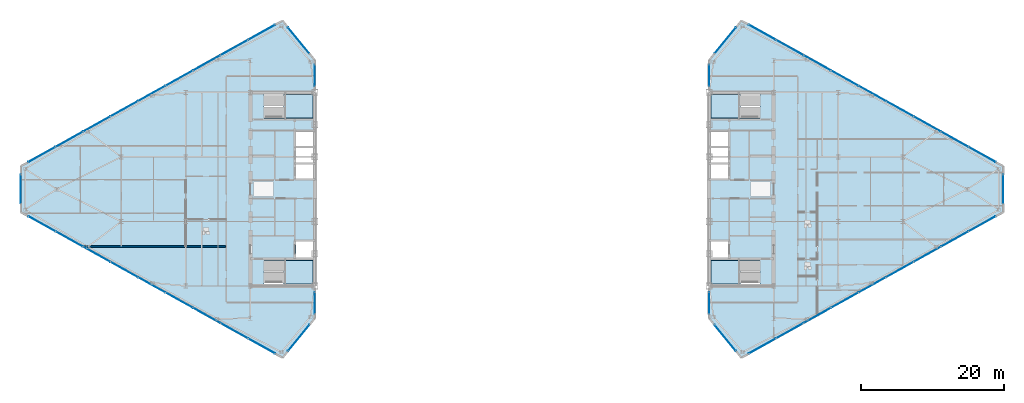
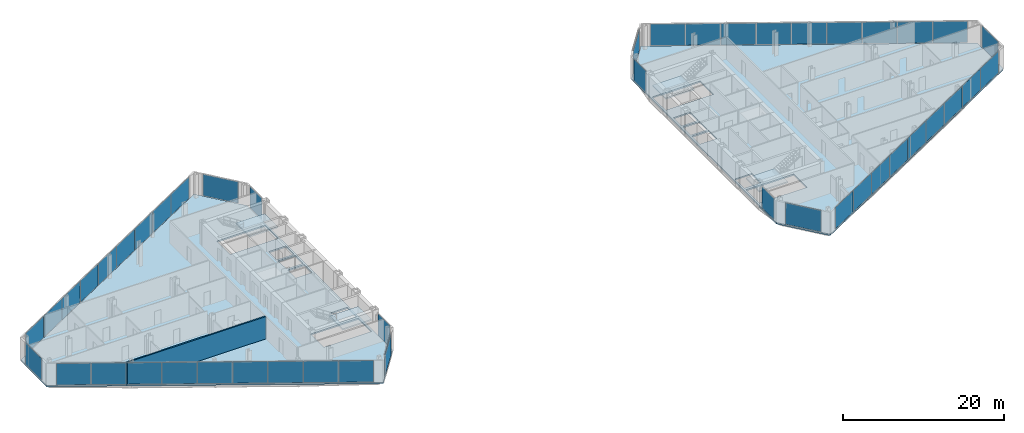
# One storey, part 18 of 26: 46 plates, 6 slabs, 1 wall, 18 elements without a shape of their own.
"""IFC4 building model written with IfcOpenShell, lengths in metres."""

from ifc_helpers import new_model, si_unit, direction, frame, frame_2d, origin, origin_2d, place, context, subcontext, project, spatial, polyline, rectangle, outline, extrude, source, transform, mapped, material, layer, layer_set, type_object, type_shapes, element, aggregate, save


model = new_model("IFC4")

# Units and contexts
model_context = context("Model", 3, precision=1e-05, world=origin(), true_north=direction((0.0, 1.0)))
body_context = subcontext(model_context, "Body", "Model", "MODEL_VIEW")
ifc_project = project(units=[si_unit("LENGTHUNIT", "METRE"), si_unit("AREAUNIT", "SQUARE_METRE"), si_unit("VOLUMEUNIT", "CUBIC_METRE"), si_unit("PLANEANGLEUNIT", "RADIAN"), si_unit("MASSUNIT", "GRAM", prefix="KILO")], contexts=[model_context])

# Site, building, storey
site_placement = place(None, origin())
site = spatial("IfcSite", under=ifc_project, at=site_placement, CompositionType="ELEMENT")
building_placement = place(site_placement, origin())
building = spatial("IfcBuilding", under=site, at=building_placement, Name="Seokmaru Belvedere", CompositionType="ELEMENT")
storey_placement = place(building_placement, frame((0.0, 0.0, 167.10009765625)))
storey = spatial("IfcBuildingStorey", under=building, at=storey_placement, Name="L44", CompositionType="ELEMENT", Elevation=167.10009765625)

# Stair, slab
ifc_material_1 = material(Name="Concrete C40 (40 MPa)", Category="concrete")
stair_type = type_object("IfcStairType", Name="Typical Tower Core Dog-Leg Stair 3600", PredefinedType="TWO_STRAIGHT_RUN_STAIR", material=ifc_material_1)
stair_1_placement = place(storey_placement, origin())
stair_1 = element("IfcStair", 1, at=stair_1_placement, inside=storey, type_object=stair_type, Name="L44 Special Escape Stair ST-W1", PredefinedType="TWO_STRAIGHT_RUN_STAIR")
ifc_layer_1 = layer(ifc_material_1, 0.199951171875)
ifc_layer_set_1 = layer_set([ifc_layer_1], Name="Concrete C40 (40 MPa)")
slab_type_1 = type_object("IfcSlabType", Name="Reinforced Concrete Stair Landing Slab 200", PredefinedType="LANDING", material=ifc_layer_set_1)
slab_1_placement = place(storey_placement, frame((0.0, 0.0, 1.599853515625)))
slab_1 = element("IfcSlab", 2, at=slab_1_placement, type_object=slab_type_1, Name="ST-W1 landing 1", PredefinedType="LANDING", context=body_context, shape_type="SweptSolid", body=[
    extrude(outline(polyline([(-31.8798828125, -13.239990234375), (-27.760009765625, -13.239990234375), (-27.760009765625, -9.949951171875), (-31.8798828125, -9.949951171875), (-31.8798828125, -13.239990234375)])), origin(), (0.0, 0.0, 1.0), 0.199951171875),
])
aggregate(stair_1, [slab_1])

stair_2_placement = place(storey_placement, origin())
stair_2 = element("IfcStair", 3, at=stair_2_placement, inside=storey, type_object=stair_type, Name="L44 Special Escape Stair ST-W2", PredefinedType="TWO_STRAIGHT_RUN_STAIR")
slab_2_placement = place(storey_placement, frame((0.0, 0.0, 1.599853515625)))
slab_2 = element("IfcSlab", 4, at=slab_2_placement, type_object=slab_type_1, Name="ST-W2 landing 1", PredefinedType="LANDING", context=body_context, shape_type="SweptSolid", body=[
    extrude(outline(polyline([(-31.8798828125, 9.949951171875), (-27.760009765625, 9.949951171875), (-27.760009765625, 13.239990234375), (-31.8798828125, 13.239990234375), (-31.8798828125, 9.949951171875)])), origin(), (0.0, 0.0, 1.0), 0.199951171875),
])
aggregate(stair_2, [slab_2])

stair_3_placement = place(storey_placement, origin())
stair_3 = element("IfcStair", 5, at=stair_3_placement, inside=storey, type_object=stair_type, Name="L44 Special Escape Stair ST-E1", PredefinedType="TWO_STRAIGHT_RUN_STAIR")
slab_3_placement = place(storey_placement, frame((0.0, 0.0, 1.599853515625)))
slab_3 = element("IfcSlab", 6, at=slab_3_placement, type_object=slab_type_1, Name="ST-E1 landing 1", PredefinedType="LANDING", context=body_context, shape_type="SweptSolid", body=[
    extrude(outline(polyline([(27.760009765625, -13.239990234375), (31.8798828125, -13.239990234375), (31.8798828125, -9.949951171875), (27.760009765625, -9.949951171875), (27.760009765625, -13.239990234375)])), origin(), (0.0, 0.0, 1.0), 0.199951171875),
])
aggregate(stair_3, [slab_3])

stair_4_placement = place(storey_placement, origin())
stair_4 = element("IfcStair", 7, at=stair_4_placement, inside=storey, type_object=stair_type, Name="L44 Special Escape Stair ST-E2", PredefinedType="TWO_STRAIGHT_RUN_STAIR")
slab_4_placement = place(storey_placement, frame((0.0, 0.0, 1.599853515625)))
slab_4 = element("IfcSlab", 8, at=slab_4_placement, type_object=slab_type_1, Name="ST-E2 landing 1", PredefinedType="LANDING", context=body_context, shape_type="SweptSolid", body=[
    extrude(outline(polyline([(27.760009765625, 9.949951171875), (31.8798828125, 9.949951171875), (31.8798828125, 13.239990234375), (27.760009765625, 13.239990234375), (27.760009765625, 9.949951171875)])), origin(), (0.0, 0.0, 1.0), 0.199951171875),
])
aggregate(stair_4, [slab_4])

# Slabs
ifc_layer_2 = layer(ifc_material_1, 0.219970703125)
ifc_layer_set_2 = layer_set([ifc_layer_2], Name="Concrete C40 (40 MPa)")
slab_type_2 = type_object("IfcSlabType", Name="Typical Tower Composite Floor Slab 220", PredefinedType="FLOOR", material=ifc_layer_set_2)
slab_5_placement = place(storey_placement, frame((0.0, 0.0, -0.22021484375)))
element("IfcSlab", 9, at=slab_5_placement, inside=storey, type_object=slab_type_2, Name="L44 West Leg Floor Slab", PredefinedType="FLOOR", context=body_context, shape_type="SweptSolid", body=[
    extrude(outline(polyline([(-27.5, -18.0), (-27.5, 18.0), (-32.0, 23.5), (-68.5, 3.199951171875), (-68.5, -3.199951171875), (-32.0, -23.5), (-27.5, -18.0)]), holes=[polyline([(-34.60009765625, -13.25), (-27.75, -13.25), (-27.75, -9.949951171875), (-34.60009765625, -9.949951171875), (-34.60009765625, -13.25)]), polyline([(-34.60009765625, 9.949951171875), (-27.75, 9.949951171875), (-27.75, 13.25), (-34.60009765625, 13.25), (-34.60009765625, 9.949951171875)]), polyline([(-30.14990234375, -9.550048828125), (-27.75, -9.550048828125), (-27.75, -7.25), (-30.14990234375, -7.25), (-30.14990234375, -9.550048828125)]), polyline([(-30.14990234375, 1.449951171875), (-27.75, 1.449951171875), (-27.75, 3.449951171875), (-30.14990234375, 3.449951171875), (-30.14990234375, 1.449951171875)]), polyline([(-30.14990234375, 3.75), (-27.75, 3.75), (-27.75, 5.75), (-30.14990234375, 5.75), (-30.14990234375, 3.75)]), polyline([(-30.14990234375, 6.050048828125), (-27.75, 6.050048828125), (-27.75, 8.050048828125), (-30.14990234375, 8.050048828125), (-30.14990234375, 6.050048828125)])]), origin(), (0.0, 0.0, 1.0), 0.22021484375),
])
slab_6_placement = place(storey_placement, frame((0.0, 0.0, -0.22021484375)))
element("IfcSlab", 10, at=slab_6_placement, inside=storey, type_object=slab_type_2, Name="L44 East Leg Floor Slab", PredefinedType="FLOOR", context=body_context, shape_type="SweptSolid", body=[
    extrude(outline(polyline([(32.0, -23.5), (68.5, -3.199951171875), (68.5, 3.199951171875), (32.0, 23.5), (27.5, 18.0), (27.5, -18.0), (32.0, -23.5)]), holes=[polyline([(27.75, -13.25), (34.60009765625, -13.25), (34.60009765625, -9.949951171875), (27.75, -9.949951171875), (27.75, -13.25)]), polyline([(27.75, 9.949951171875), (34.60009765625, 9.949951171875), (34.60009765625, 13.25), (27.75, 13.25), (27.75, 9.949951171875)]), polyline([(27.75, -9.550048828125), (30.14990234375, -9.550048828125), (30.14990234375, -7.25), (27.75, -7.25), (27.75, -9.550048828125)]), polyline([(27.75, 1.449951171875), (30.14990234375, 1.449951171875), (30.14990234375, 3.449951171875), (27.75, 3.449951171875), (27.75, 1.449951171875)]), polyline([(27.75, 3.75), (30.14990234375, 3.75), (30.14990234375, 5.75), (27.75, 5.75), (27.75, 3.75)]), polyline([(27.75, 6.050048828125), (30.14990234375, 6.050048828125), (30.14990234375, 8.050048828125), (27.75, 8.050048828125), (27.75, 6.050048828125)])]), origin(), (0.0, 0.0, 1.0), 0.22021484375),
])

# Curtain wall, plate
ifc_material_2 = material(Name="Bronze Triple Insulating Glass", Category="glass")
ifc_layer_3 = layer(ifc_material_2, 0.179931640625)
ifc_layer_set_3 = layer_set([ifc_layer_3], Name="Bronze Triple Insulating Glass")
curtain_wall_type = type_object("IfcCurtainWallType", Name="High-Rise Wind-Corner Curtain Wall System CW-5", PredefinedType="NOTDEFINED", material=ifc_layer_set_3)
curtain_wall_1_placement = place(storey_placement, origin())
curtain_wall_1 = element("IfcCurtainWall", 11, at=curtain_wall_1_placement, inside=storey, type_object=curtain_wall_type, Name="L44 Curtain Wall WSP_1", PredefinedType="NOTDEFINED")
ifc_layer_4 = layer(ifc_material_2, 0.035888671875)
ifc_layer_set_4 = layer_set([ifc_layer_4], Name="Bronze Triple Insulating Glass")
plate_type = type_object("IfcPlateType", Name="Bronze Triple Vision Glazing Panel 36", PredefinedType="CURTAIN_PANEL", material=ifc_layer_set_4)
shared_shape_1 = source(origin(), body_context, "Body", "SweptSolid", [
    extrude(rectangle(XDim=2.969970703125, YDim=0.035888671875, at=origin_2d()), origin(), (0.0, 0.0, 1.0), 3.25),
])
plate_1_placement = place(storey_placement, frame((-27.5, -15.8798828125, 0.06494140625), z_axis=(0.0, 0.0, 1.0), x_axis=(0.0, 1.0, 0.0)))
plate_1 = element("IfcPlate", 12, at=plate_1_placement, type_object=plate_type, Name="CW:L44:WSP_1 Glazing Panel 1-1", PredefinedType="CURTAIN_PANEL", context=body_context, shape_type="MappedRepresentation", body=[
    mapped(shared_shape_1, transform((0.0, 0.0, 0.0), scale=1.0)),
])
aggregate(curtain_wall_1, [plate_1])

curtain_wall_2_placement = place(storey_placement, origin())
curtain_wall_2 = element("IfcCurtainWall", 13, at=curtain_wall_2_placement, inside=storey, type_object=curtain_wall_type, Name="L44 Curtain Wall WSP_2", PredefinedType="NOTDEFINED")
plate_2_placement = place(storey_placement, frame((-27.5, 15.8798828125, 0.06494140625), z_axis=(0.0, 0.0, 1.0), x_axis=(0.0, 1.0, 0.0)))
plate_2 = element("IfcPlate", 14, at=plate_2_placement, type_object=plate_type, Name="CW:L44:WSP_2 Glazing Panel 1-1", PredefinedType="CURTAIN_PANEL", context=body_context, shape_type="MappedRepresentation", body=[
    mapped(shared_shape_1, transform((0.0, 0.0, 0.0), scale=1.0)),
])
aggregate(curtain_wall_2, [plate_2])

curtain_wall_3_placement = place(storey_placement, origin())
curtain_wall_3 = element("IfcCurtainWall", 15, at=curtain_wall_3_placement, inside=storey, type_object=curtain_wall_type, Name="L44 Curtain Wall ESP_1", PredefinedType="NOTDEFINED")
plate_3_placement = place(storey_placement, frame((27.5, -15.8798828125, 0.06494140625), z_axis=(0.0, 0.0, 1.0), x_axis=(0.0, -1.0, 0.0)))
plate_3 = element("IfcPlate", 16, at=plate_3_placement, type_object=plate_type, Name="CW:L44:ESP_1 Glazing Panel 1-1", PredefinedType="CURTAIN_PANEL", context=body_context, shape_type="MappedRepresentation", body=[
    mapped(shared_shape_1, transform((0.0, 0.0, 0.0), scale=1.0)),
])
aggregate(curtain_wall_3, [plate_3])

curtain_wall_4_placement = place(storey_placement, origin())
curtain_wall_4 = element("IfcCurtainWall", 17, at=curtain_wall_4_placement, inside=storey, type_object=curtain_wall_type, Name="L44 Curtain Wall ESP_2", PredefinedType="NOTDEFINED")
plate_4_placement = place(storey_placement, frame((27.5, 15.8798828125, 0.06494140625), z_axis=(0.0, 0.0, 1.0), x_axis=(0.0, -1.0, 0.0)))
plate_4 = element("IfcPlate", 18, at=plate_4_placement, type_object=plate_type, Name="CW:L44:ESP_2 Glazing Panel 1-1", PredefinedType="CURTAIN_PANEL", context=body_context, shape_type="MappedRepresentation", body=[
    mapped(shared_shape_1, transform((0.0, 0.0, 0.0), scale=1.0)),
])
aggregate(curtain_wall_4, [plate_4])

curtain_wall_5_placement = place(storey_placement, origin())
curtain_wall_5 = element("IfcCurtainWall", 19, at=curtain_wall_5_placement, inside=storey, type_object=curtain_wall_type, Name="L44 Curtain Wall WF2", PredefinedType="NOTDEFINED")
shared_shape_2 = source(origin(), body_context, "Body", "SweptSolid", [
    extrude(rectangle(XDim=4.67626953125, YDim=0.035888671875, at=origin_2d()), origin(), (0.0, 0.0, 1.0), 3.25),
])
plate_5_placement = place(storey_placement, frame((-29.75, 20.75, 0.06494140625), z_axis=(0.0, 0.0, 1.0), x_axis=(-0.633253907144, 0.773944112379, 0.0)))
plate_5 = element("IfcPlate", 20, at=plate_5_placement, type_object=plate_type, Name="CW:L44:WF2 Glazing Panel 1-1", PredefinedType="CURTAIN_PANEL", context=body_context, shape_type="MappedRepresentation", body=[
    mapped(shared_shape_2, transform((0.0, 0.0, 0.0), scale=1.0)),
])
aggregate(curtain_wall_5, [plate_5])

curtain_wall_6_placement = place(storey_placement, origin())
curtain_wall_6 = element("IfcCurtainWall", 21, at=curtain_wall_6_placement, inside=storey, type_object=curtain_wall_type, Name="L44 Curtain Wall WF6", PredefinedType="NOTDEFINED")
plate_6_placement = place(storey_placement, frame((-29.75, -20.75, 0.06494140625), z_axis=(0.0, 0.0, 1.0), x_axis=(0.633253907144, 0.773944112379, 0.0)))
plate_6 = element("IfcPlate", 22, at=plate_6_placement, type_object=plate_type, Name="CW:L44:WF6 Glazing Panel 1-1", PredefinedType="CURTAIN_PANEL", context=body_context, shape_type="MappedRepresentation", body=[
    mapped(shared_shape_2, transform((0.0, 0.0, 0.0), scale=1.0)),
])
aggregate(curtain_wall_6, [plate_6])

curtain_wall_7_placement = place(storey_placement, origin())
curtain_wall_7 = element("IfcCurtainWall", 23, at=curtain_wall_7_placement, inside=storey, type_object=curtain_wall_type, Name="L44 Curtain Wall EF4", PredefinedType="NOTDEFINED")
plate_7_placement = place(storey_placement, frame((29.75, 20.75, 0.06494140625), z_axis=(0.0, 0.0, 1.0), x_axis=(-0.633253907144, -0.773944112379, 0.0)))
plate_7 = element("IfcPlate", 24, at=plate_7_placement, type_object=plate_type, Name="CW:L44:EF4 Glazing Panel 1-1", PredefinedType="CURTAIN_PANEL", context=body_context, shape_type="MappedRepresentation", body=[
    mapped(shared_shape_2, transform((0.0, 0.0, 0.0), scale=1.0)),
])
aggregate(curtain_wall_7, [plate_7])

curtain_wall_8_placement = place(storey_placement, origin())
curtain_wall_8 = element("IfcCurtainWall", 25, at=curtain_wall_8_placement, inside=storey, type_object=curtain_wall_type, Name="L44 Curtain Wall EF6", PredefinedType="NOTDEFINED")
plate_8_placement = place(storey_placement, frame((29.75, -20.75, 0.06494140625), z_axis=(0.0, 0.0, 1.0), x_axis=(0.633253907144, -0.773944112379, 0.0)))
plate_8 = element("IfcPlate", 26, at=plate_8_placement, type_object=plate_type, Name="CW:L44:EF6 Glazing Panel 1-1", PredefinedType="CURTAIN_PANEL", context=body_context, shape_type="MappedRepresentation", body=[
    mapped(shared_shape_2, transform((0.0, 0.0, 0.0), scale=1.0)),
])
aggregate(curtain_wall_8, [plate_8])

# Curtain wall, plates
curtain_wall_9_placement = place(storey_placement, origin())
curtain_wall_9 = element("IfcCurtainWall", 27, at=curtain_wall_9_placement, inside=storey, type_object=curtain_wall_type, Name="L44 Curtain Wall WF3", PredefinedType="NOTDEFINED")
shared_shape_3 = source(origin(), body_context, "Body", "SweptSolid", [
    extrude(rectangle(XDim=4.28759765625, YDim=0.035888671875, at=origin_2d()), origin(), (0.0, 0.0, 1.0), 3.25),
])
plate_9_placement = place(storey_placement, frame((-34.935302734375, 21.867431640625, 0.06494140625), z_axis=(0.0, 0.0, 1.0), x_axis=(-0.873932601598, -0.486047125147, 0.0)))
plate_9 = element("IfcPlate", 28, at=plate_9_placement, type_object=plate_type, Name="CW:L44:WF3 Glazing Panel 1-1", PredefinedType="CURTAIN_PANEL", context=body_context, shape_type="MappedRepresentation", body=[
    mapped(shared_shape_3, transform((0.0, 0.0, 0.0), scale=1.0)),
])
plate_10_placement = place(storey_placement, frame((-65.564697265625, 4.83251953125, 0.06494140625), z_axis=(0.0, 0.0, 1.0), x_axis=(-0.873932601598, -0.486047125147, 0.0)))
plate_10 = element("IfcPlate", 29, at=plate_10_placement, type_object=plate_type, Name="CW:L44:WF3 Glazing Panel 9-1", PredefinedType="CURTAIN_PANEL", context=body_context, shape_type="MappedRepresentation", body=[
    mapped(shared_shape_3, transform((0.0, 0.0, 0.0), scale=1.0)),
])

curtain_wall_10_placement = place(storey_placement, origin())
curtain_wall_10 = element("IfcCurtainWall", 30, at=curtain_wall_10_placement, inside=storey, type_object=curtain_wall_type, Name="L44 Curtain Wall WF5", PredefinedType="NOTDEFINED")
plate_11_placement = place(storey_placement, frame((-65.564697265625, -4.83251953125, 0.06494140625), z_axis=(0.0, 0.0, 1.0), x_axis=(0.873932601598, -0.486047125147, 0.0)))
plate_11 = element("IfcPlate", 31, at=plate_11_placement, type_object=plate_type, Name="CW:L44:WF5 Glazing Panel 1-1", PredefinedType="CURTAIN_PANEL", context=body_context, shape_type="MappedRepresentation", body=[
    mapped(shared_shape_3, transform((0.0, 0.0, 0.0), scale=1.0)),
])
plate_12_placement = place(storey_placement, frame((-34.935302734375, -21.867431640625, 0.06494140625), z_axis=(0.0, 0.0, 1.0), x_axis=(0.873932601598, -0.486047125147, 0.0)))
plate_12 = element("IfcPlate", 32, at=plate_12_placement, type_object=plate_type, Name="CW:L44:WF5 Glazing Panel 9-1", PredefinedType="CURTAIN_PANEL", context=body_context, shape_type="MappedRepresentation", body=[
    mapped(shared_shape_3, transform((0.0, 0.0, 0.0), scale=1.0)),
])

curtain_wall_11_placement = place(storey_placement, origin())
curtain_wall_11 = element("IfcCurtainWall", 33, at=curtain_wall_11_placement, inside=storey, type_object=curtain_wall_type, Name="L44 Curtain Wall EF1", PredefinedType="NOTDEFINED")
plate_13_placement = place(storey_placement, frame((34.935302734375, -21.867431640625, 0.06494140625), z_axis=(0.0, 0.0, 1.0), x_axis=(0.873932601598, 0.486047125147, 0.0)))
plate_13 = element("IfcPlate", 34, at=plate_13_placement, type_object=plate_type, Name="CW:L44:EF1 Glazing Panel 1-1", PredefinedType="CURTAIN_PANEL", context=body_context, shape_type="MappedRepresentation", body=[
    mapped(shared_shape_3, transform((0.0, 0.0, 0.0), scale=1.0)),
])
plate_14_placement = place(storey_placement, frame((65.564697265625, -4.83251953125, 0.06494140625), z_axis=(0.0, 0.0, 1.0), x_axis=(0.873932601598, 0.486047125147, 0.0)))
plate_14 = element("IfcPlate", 35, at=plate_14_placement, type_object=plate_type, Name="CW:L44:EF1 Glazing Panel 9-1", PredefinedType="CURTAIN_PANEL", context=body_context, shape_type="MappedRepresentation", body=[
    mapped(shared_shape_3, transform((0.0, 0.0, 0.0), scale=1.0)),
])

curtain_wall_12_placement = place(storey_placement, origin())
curtain_wall_12 = element("IfcCurtainWall", 36, at=curtain_wall_12_placement, inside=storey, type_object=curtain_wall_type, Name="L44 Curtain Wall EF3", PredefinedType="NOTDEFINED")
plate_15_placement = place(storey_placement, frame((65.564697265625, 4.83251953125, 0.06494140625), z_axis=(0.0, 0.0, 1.0), x_axis=(-0.873932601598, 0.486047125147, 0.0)))
plate_15 = element("IfcPlate", 37, at=plate_15_placement, type_object=plate_type, Name="CW:L44:EF3 Glazing Panel 1-1", PredefinedType="CURTAIN_PANEL", context=body_context, shape_type="MappedRepresentation", body=[
    mapped(shared_shape_3, transform((0.0, 0.0, 0.0), scale=1.0)),
])
plate_16_placement = place(storey_placement, frame((34.935302734375, 21.867431640625, 0.06494140625), z_axis=(0.0, 0.0, 1.0), x_axis=(-0.873932601598, 0.486047125147, 0.0)))
plate_16 = element("IfcPlate", 38, at=plate_16_placement, type_object=plate_type, Name="CW:L44:EF3 Glazing Panel 9-1", PredefinedType="CURTAIN_PANEL", context=body_context, shape_type="MappedRepresentation", body=[
    mapped(shared_shape_3, transform((0.0, 0.0, 0.0), scale=1.0)),
])

# Plate
shared_shape_4 = source(origin(), body_context, "Body", "SweptSolid", [
    extrude(rectangle(XDim=4.320068359375, YDim=0.035888671875, at=origin_2d()), origin(), (0.0, 0.0, 1.0), 3.25),
])
plate_17_placement = place(storey_placement, frame((-38.75341796875, 19.743896484375, 0.06494140625), z_axis=(0.0, 0.0, 1.0), x_axis=(-0.873932601598, -0.486047125147, 0.0)))
plate_17 = element("IfcPlate", 39, at=plate_17_placement, type_object=plate_type, Name="CW:L44:WF3 Glazing Panel 2-1", PredefinedType="CURTAIN_PANEL", context=body_context, shape_type="MappedRepresentation", body=[
    mapped(shared_shape_4, transform((0.0, 0.0, 0.0), scale=1.0)),
])

plate_18_placement = place(storey_placement, frame((-42.585693359375, 17.61279296875, 0.06494140625), z_axis=(0.0, 0.0, 1.0), x_axis=(-0.873932601598, -0.486047125147, 0.0)))
plate_18 = element("IfcPlate", 40, at=plate_18_placement, type_object=plate_type, Name="CW:L44:WF3 Glazing Panel 3-1", PredefinedType="CURTAIN_PANEL", context=body_context, shape_type="MappedRepresentation", body=[
    mapped(shared_shape_4, transform((0.0, 0.0, 0.0), scale=1.0)),
])

plate_19_placement = place(storey_placement, frame((-46.417724609375, 15.481201171875, 0.06494140625), z_axis=(0.0, 0.0, 1.0), x_axis=(-0.873932601598, -0.486047125147, 0.0)))
plate_19 = element("IfcPlate", 41, at=plate_19_placement, type_object=plate_type, Name="CW:L44:WF3 Glazing Panel 4-1", PredefinedType="CURTAIN_PANEL", context=body_context, shape_type="MappedRepresentation", body=[
    mapped(shared_shape_4, transform((0.0, 0.0, 0.0), scale=1.0)),
])

plate_20_placement = place(storey_placement, frame((-50.25, 13.35009765625, 0.06494140625), z_axis=(0.0, 0.0, 1.0), x_axis=(-0.873932601598, -0.486047125147, 0.0)))
plate_20 = element("IfcPlate", 42, at=plate_20_placement, type_object=plate_type, Name="CW:L44:WF3 Glazing Panel 5-1", PredefinedType="CURTAIN_PANEL", context=body_context, shape_type="MappedRepresentation", body=[
    mapped(shared_shape_4, transform((0.0, 0.0, 0.0), scale=1.0)),
])

plate_21_placement = place(storey_placement, frame((-54.082275390625, 11.21875, 0.06494140625), z_axis=(0.0, 0.0, 1.0), x_axis=(-0.873932601598, -0.486047125147, 0.0)))
plate_21 = element("IfcPlate", 43, at=plate_21_placement, type_object=plate_type, Name="CW:L44:WF3 Glazing Panel 6-1", PredefinedType="CURTAIN_PANEL", context=body_context, shape_type="MappedRepresentation", body=[
    mapped(shared_shape_4, transform((0.0, 0.0, 0.0), scale=1.0)),
])

plate_22_placement = place(storey_placement, frame((-57.914306640625, 9.08740234375, 0.06494140625), z_axis=(0.0, 0.0, 1.0), x_axis=(-0.873932601598, -0.486047125147, 0.0)))
plate_22 = element("IfcPlate", 44, at=plate_22_placement, type_object=plate_type, Name="CW:L44:WF3 Glazing Panel 7-1", PredefinedType="CURTAIN_PANEL", context=body_context, shape_type="MappedRepresentation", body=[
    mapped(shared_shape_4, transform((0.0, 0.0, 0.0), scale=1.0)),
])

plate_23_placement = place(storey_placement, frame((-61.74658203125, 6.9560546875, 0.06494140625), z_axis=(0.0, 0.0, 1.0), x_axis=(-0.873932601598, -0.486047125147, 0.0)))
plate_23 = element("IfcPlate", 45, at=plate_23_placement, type_object=plate_type, Name="CW:L44:WF3 Glazing Panel 8-1", PredefinedType="CURTAIN_PANEL", context=body_context, shape_type="MappedRepresentation", body=[
    mapped(shared_shape_4, transform((0.0, 0.0, 0.0), scale=1.0)),
])

aggregate(curtain_wall_9, [plate_9, plate_17, plate_18, plate_19, plate_20, plate_21, plate_22, plate_23, plate_10])

plate_24_placement = place(storey_placement, frame((-61.74658203125, -6.9560546875, 0.06494140625), z_axis=(0.0, 0.0, 1.0), x_axis=(0.873932601598, -0.486047125147, 0.0)))
plate_24 = element("IfcPlate", 46, at=plate_24_placement, type_object=plate_type, Name="CW:L44:WF5 Glazing Panel 2-1", PredefinedType="CURTAIN_PANEL", context=body_context, shape_type="MappedRepresentation", body=[
    mapped(shared_shape_4, transform((0.0, 0.0, 0.0), scale=1.0)),
])

plate_25_placement = place(storey_placement, frame((-57.914306640625, -9.08740234375, 0.06494140625), z_axis=(0.0, 0.0, 1.0), x_axis=(0.873932601598, -0.486047125147, 0.0)))
plate_25 = element("IfcPlate", 47, at=plate_25_placement, type_object=plate_type, Name="CW:L44:WF5 Glazing Panel 3-1", PredefinedType="CURTAIN_PANEL", context=body_context, shape_type="MappedRepresentation", body=[
    mapped(shared_shape_4, transform((0.0, 0.0, 0.0), scale=1.0)),
])

plate_26_placement = place(storey_placement, frame((-54.082275390625, -11.21875, 0.06494140625), z_axis=(0.0, 0.0, 1.0), x_axis=(0.873932601598, -0.486047125147, 0.0)))
plate_26 = element("IfcPlate", 48, at=plate_26_placement, type_object=plate_type, Name="CW:L44:WF5 Glazing Panel 4-1", PredefinedType="CURTAIN_PANEL", context=body_context, shape_type="MappedRepresentation", body=[
    mapped(shared_shape_4, transform((0.0, 0.0, 0.0), scale=1.0)),
])

plate_27_placement = place(storey_placement, frame((-50.25, -13.35009765625, 0.06494140625), z_axis=(0.0, 0.0, 1.0), x_axis=(0.873932601598, -0.486047125147, 0.0)))
plate_27 = element("IfcPlate", 49, at=plate_27_placement, type_object=plate_type, Name="CW:L44:WF5 Glazing Panel 5-1", PredefinedType="CURTAIN_PANEL", context=body_context, shape_type="MappedRepresentation", body=[
    mapped(shared_shape_4, transform((0.0, 0.0, 0.0), scale=1.0)),
])

plate_28_placement = place(storey_placement, frame((-46.417724609375, -15.481201171875, 0.06494140625), z_axis=(0.0, 0.0, 1.0), x_axis=(0.873932601598, -0.486047125147, 0.0)))
plate_28 = element("IfcPlate", 50, at=plate_28_placement, type_object=plate_type, Name="CW:L44:WF5 Glazing Panel 6-1", PredefinedType="CURTAIN_PANEL", context=body_context, shape_type="MappedRepresentation", body=[
    mapped(shared_shape_4, transform((0.0, 0.0, 0.0), scale=1.0)),
])

plate_29_placement = place(storey_placement, frame((-42.585693359375, -17.61279296875, 0.06494140625), z_axis=(0.0, 0.0, 1.0), x_axis=(0.873932601598, -0.486047125147, 0.0)))
plate_29 = element("IfcPlate", 51, at=plate_29_placement, type_object=plate_type, Name="CW:L44:WF5 Glazing Panel 7-1", PredefinedType="CURTAIN_PANEL", context=body_context, shape_type="MappedRepresentation", body=[
    mapped(shared_shape_4, transform((0.0, 0.0, 0.0), scale=1.0)),
])

plate_30_placement = place(storey_placement, frame((-38.75341796875, -19.743896484375, 0.06494140625), z_axis=(0.0, 0.0, 1.0), x_axis=(0.873932601598, -0.486047125147, 0.0)))
plate_30 = element("IfcPlate", 52, at=plate_30_placement, type_object=plate_type, Name="CW:L44:WF5 Glazing Panel 8-1", PredefinedType="CURTAIN_PANEL", context=body_context, shape_type="MappedRepresentation", body=[
    mapped(shared_shape_4, transform((0.0, 0.0, 0.0), scale=1.0)),
])

aggregate(curtain_wall_10, [plate_11, plate_24, plate_25, plate_26, plate_27, plate_28, plate_29, plate_30, plate_12])

plate_31_placement = place(storey_placement, frame((38.75341796875, -19.743896484375, 0.06494140625), z_axis=(0.0, 0.0, 1.0), x_axis=(0.873932601598, 0.486047125147, 0.0)))
plate_31 = element("IfcPlate", 53, at=plate_31_placement, type_object=plate_type, Name="CW:L44:EF1 Glazing Panel 2-1", PredefinedType="CURTAIN_PANEL", context=body_context, shape_type="MappedRepresentation", body=[
    mapped(shared_shape_4, transform((0.0, 0.0, 0.0), scale=1.0)),
])

plate_32_placement = place(storey_placement, frame((42.585693359375, -17.61279296875, 0.06494140625), z_axis=(0.0, 0.0, 1.0), x_axis=(0.873932601598, 0.486047125147, 0.0)))
plate_32 = element("IfcPlate", 54, at=plate_32_placement, type_object=plate_type, Name="CW:L44:EF1 Glazing Panel 3-1", PredefinedType="CURTAIN_PANEL", context=body_context, shape_type="MappedRepresentation", body=[
    mapped(shared_shape_4, transform((0.0, 0.0, 0.0), scale=1.0)),
])

plate_33_placement = place(storey_placement, frame((46.417724609375, -15.481201171875, 0.06494140625), z_axis=(0.0, 0.0, 1.0), x_axis=(0.873932601598, 0.486047125147, 0.0)))
plate_33 = element("IfcPlate", 55, at=plate_33_placement, type_object=plate_type, Name="CW:L44:EF1 Glazing Panel 4-1", PredefinedType="CURTAIN_PANEL", context=body_context, shape_type="MappedRepresentation", body=[
    mapped(shared_shape_4, transform((0.0, 0.0, 0.0), scale=1.0)),
])

plate_34_placement = place(storey_placement, frame((50.25, -13.35009765625, 0.06494140625), z_axis=(0.0, 0.0, 1.0), x_axis=(0.873932601598, 0.486047125147, 0.0)))
plate_34 = element("IfcPlate", 56, at=plate_34_placement, type_object=plate_type, Name="CW:L44:EF1 Glazing Panel 5-1", PredefinedType="CURTAIN_PANEL", context=body_context, shape_type="MappedRepresentation", body=[
    mapped(shared_shape_4, transform((0.0, 0.0, 0.0), scale=1.0)),
])

plate_35_placement = place(storey_placement, frame((54.082275390625, -11.21875, 0.06494140625), z_axis=(0.0, 0.0, 1.0), x_axis=(0.873932601598, 0.486047125147, 0.0)))
plate_35 = element("IfcPlate", 57, at=plate_35_placement, type_object=plate_type, Name="CW:L44:EF1 Glazing Panel 6-1", PredefinedType="CURTAIN_PANEL", context=body_context, shape_type="MappedRepresentation", body=[
    mapped(shared_shape_4, transform((0.0, 0.0, 0.0), scale=1.0)),
])

plate_36_placement = place(storey_placement, frame((57.914306640625, -9.08740234375, 0.06494140625), z_axis=(0.0, 0.0, 1.0), x_axis=(0.873932601598, 0.486047125147, 0.0)))
plate_36 = element("IfcPlate", 58, at=plate_36_placement, type_object=plate_type, Name="CW:L44:EF1 Glazing Panel 7-1", PredefinedType="CURTAIN_PANEL", context=body_context, shape_type="MappedRepresentation", body=[
    mapped(shared_shape_4, transform((0.0, 0.0, 0.0), scale=1.0)),
])

plate_37_placement = place(storey_placement, frame((61.74658203125, -6.9560546875, 0.06494140625), z_axis=(0.0, 0.0, 1.0), x_axis=(0.873932601598, 0.486047125147, 0.0)))
plate_37 = element("IfcPlate", 59, at=plate_37_placement, type_object=plate_type, Name="CW:L44:EF1 Glazing Panel 8-1", PredefinedType="CURTAIN_PANEL", context=body_context, shape_type="MappedRepresentation", body=[
    mapped(shared_shape_4, transform((0.0, 0.0, 0.0), scale=1.0)),
])

aggregate(curtain_wall_11, [plate_13, plate_31, plate_32, plate_33, plate_34, plate_35, plate_36, plate_37, plate_14])

plate_38_placement = place(storey_placement, frame((61.74658203125, 6.9560546875, 0.06494140625), z_axis=(0.0, 0.0, 1.0), x_axis=(-0.873932601598, 0.486047125147, 0.0)))
plate_38 = element("IfcPlate", 60, at=plate_38_placement, type_object=plate_type, Name="CW:L44:EF3 Glazing Panel 2-1", PredefinedType="CURTAIN_PANEL", context=body_context, shape_type="MappedRepresentation", body=[
    mapped(shared_shape_4, transform((0.0, 0.0, 0.0), scale=1.0)),
])

plate_39_placement = place(storey_placement, frame((57.914306640625, 9.08740234375, 0.06494140625), z_axis=(0.0, 0.0, 1.0), x_axis=(-0.873932601598, 0.486047125147, 0.0)))
plate_39 = element("IfcPlate", 61, at=plate_39_placement, type_object=plate_type, Name="CW:L44:EF3 Glazing Panel 3-1", PredefinedType="CURTAIN_PANEL", context=body_context, shape_type="MappedRepresentation", body=[
    mapped(shared_shape_4, transform((0.0, 0.0, 0.0), scale=1.0)),
])

plate_40_placement = place(storey_placement, frame((54.082275390625, 11.21875, 0.06494140625), z_axis=(0.0, 0.0, 1.0), x_axis=(-0.873932601598, 0.486047125147, 0.0)))
plate_40 = element("IfcPlate", 62, at=plate_40_placement, type_object=plate_type, Name="CW:L44:EF3 Glazing Panel 4-1", PredefinedType="CURTAIN_PANEL", context=body_context, shape_type="MappedRepresentation", body=[
    mapped(shared_shape_4, transform((0.0, 0.0, 0.0), scale=1.0)),
])

plate_41_placement = place(storey_placement, frame((50.25, 13.35009765625, 0.06494140625), z_axis=(0.0, 0.0, 1.0), x_axis=(-0.873932601598, 0.486047125147, 0.0)))
plate_41 = element("IfcPlate", 63, at=plate_41_placement, type_object=plate_type, Name="CW:L44:EF3 Glazing Panel 5-1", PredefinedType="CURTAIN_PANEL", context=body_context, shape_type="MappedRepresentation", body=[
    mapped(shared_shape_4, transform((0.0, 0.0, 0.0), scale=1.0)),
])

plate_42_placement = place(storey_placement, frame((46.417724609375, 15.481201171875, 0.06494140625), z_axis=(0.0, 0.0, 1.0), x_axis=(-0.873932601598, 0.486047125147, 0.0)))
plate_42 = element("IfcPlate", 64, at=plate_42_placement, type_object=plate_type, Name="CW:L44:EF3 Glazing Panel 6-1", PredefinedType="CURTAIN_PANEL", context=body_context, shape_type="MappedRepresentation", body=[
    mapped(shared_shape_4, transform((0.0, 0.0, 0.0), scale=1.0)),
])

plate_43_placement = place(storey_placement, frame((42.585693359375, 17.61279296875, 0.06494140625), z_axis=(0.0, 0.0, 1.0), x_axis=(-0.873932601598, 0.486047125147, 0.0)))
plate_43 = element("IfcPlate", 65, at=plate_43_placement, type_object=plate_type, Name="CW:L44:EF3 Glazing Panel 7-1", PredefinedType="CURTAIN_PANEL", context=body_context, shape_type="MappedRepresentation", body=[
    mapped(shared_shape_4, transform((0.0, 0.0, 0.0), scale=1.0)),
])

plate_44_placement = place(storey_placement, frame((38.75341796875, 19.743896484375, 0.06494140625), z_axis=(0.0, 0.0, 1.0), x_axis=(-0.873932601598, 0.486047125147, 0.0)))
plate_44 = element("IfcPlate", 66, at=plate_44_placement, type_object=plate_type, Name="CW:L44:EF3 Glazing Panel 8-1", PredefinedType="CURTAIN_PANEL", context=body_context, shape_type="MappedRepresentation", body=[
    mapped(shared_shape_4, transform((0.0, 0.0, 0.0), scale=1.0)),
])

aggregate(curtain_wall_12, [plate_15, plate_38, plate_39, plate_40, plate_41, plate_42, plate_43, plate_44, plate_16])

# Curtain wall, plate
curtain_wall_13_placement = place(storey_placement, origin())
curtain_wall_13 = element("IfcCurtainWall", 67, at=curtain_wall_13_placement, inside=storey, type_object=curtain_wall_type, Name="L44 Curtain Wall WF4", PredefinedType="NOTDEFINED")
shared_shape_5 = source(origin(), body_context, "Body", "SweptSolid", [
    extrude(rectangle(XDim=3.969970703125, YDim=0.035888671875, at=origin_2d()), origin(), (0.0, 0.0, 1.0), 3.25),
])
type_shapes(plate_type, [shared_shape_1, shared_shape_2, shared_shape_3, shared_shape_4, shared_shape_5])
plate_45_placement = place(storey_placement, frame((-68.5, 0.0, 0.06494140625), z_axis=(0.0, 0.0, 1.0), x_axis=(0.0, -1.0, 0.0)))
plate_45 = element("IfcPlate", 68, at=plate_45_placement, type_object=plate_type, Name="CW:L44:WF4 Glazing Panel 1-1", PredefinedType="CURTAIN_PANEL", context=body_context, shape_type="MappedRepresentation", body=[
    mapped(shared_shape_5, transform((0.0, 0.0, 0.0), scale=1.0)),
])
aggregate(curtain_wall_13, [plate_45])

curtain_wall_14_placement = place(storey_placement, origin())
curtain_wall_14 = element("IfcCurtainWall", 69, at=curtain_wall_14_placement, inside=storey, type_object=curtain_wall_type, Name="L44 Curtain Wall EF2", PredefinedType="NOTDEFINED")
plate_46_placement = place(storey_placement, frame((68.5, 0.0, 0.06494140625), z_axis=(0.0, 0.0, 1.0), x_axis=(0.0, 1.0, 0.0)))
plate_46 = element("IfcPlate", 70, at=plate_46_placement, type_object=plate_type, Name="CW:L44:EF2 Glazing Panel 1-1", PredefinedType="CURTAIN_PANEL", context=body_context, shape_type="MappedRepresentation", body=[
    mapped(shared_shape_5, transform((0.0, 0.0, 0.0), scale=1.0)),
])
aggregate(curtain_wall_14, [plate_46])

# Wall
ifc_material_3 = material(Name="Fire-Rated Gypsum Shaftwall")
ifc_layer_5 = layer(ifc_material_3, 0.199951171875)
ifc_layer_set_5 = layer_set([ifc_layer_5], Name="Fire-Rated Gypsum Shaftwall")
wall_type = type_object("IfcWallType", Name="Inter-Tenancy Fire Compartment Partition 200", PredefinedType="PARTITIONING", material=ifc_layer_set_5)
wall_placement = place(storey_placement, frame((-59.8798828125, -8.0, 0.0), z_axis=(0.0, 0.0, 1.0), x_axis=(1.0, 0.0, 0.0)))
element("IfcWall", 71, at=wall_placement, inside=storey, type_object=wall_type, Name="L44 Interior Partition 007", PredefinedType="PARTITIONING", context=body_context, shape_type="SweptSolid", body=[
    extrude(rectangle(XDim=19.949951171875, YDim=0.199951171875, at=frame_2d((9.97509765625, 0.0))), origin(), (0.0, 0.0, 1.0), 3.3798828125),
])

save(model, "model.ifc")
